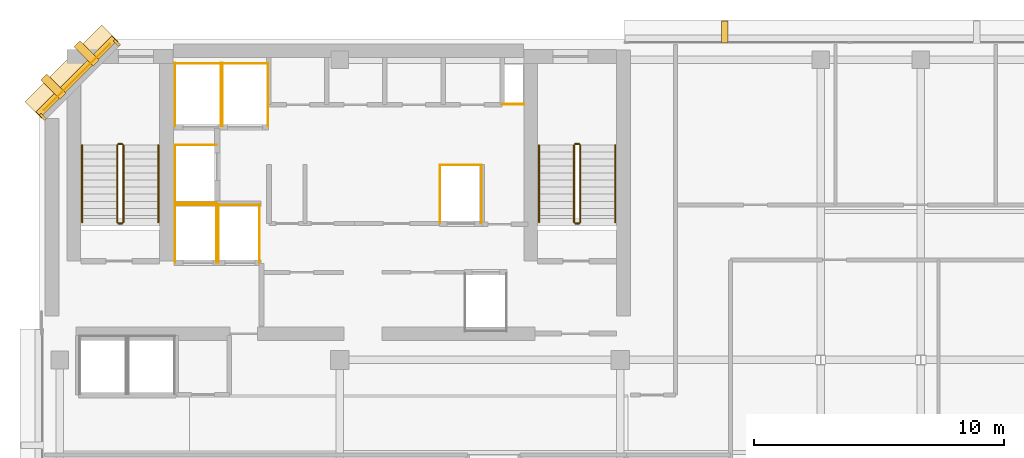
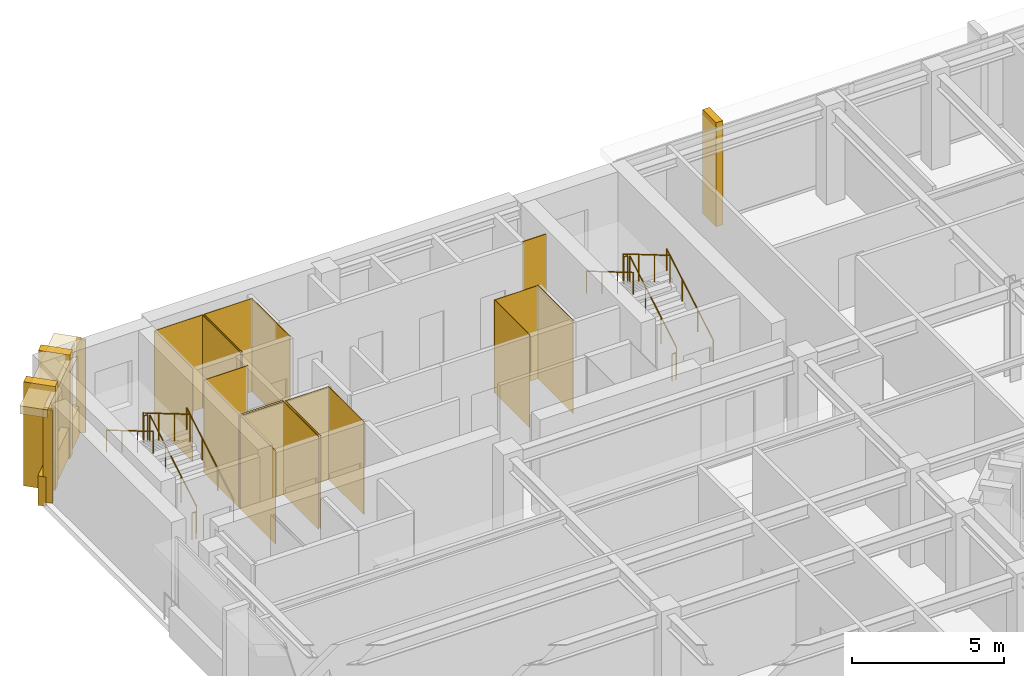
# One storey, part 12 of 13: 27 coverings, 12 railings.
"""IFC4 building model written with IfcOpenShell, lengths in metres."""

from ifc_helpers import new_model, si_unit, direction, frame, origin, origin_2d, place, context, subcontext, project, spatial, polyline, rectangle, circle, outline, extrude, material, layer, layer_set, type_object, element, save


model = new_model("IFC4")

# Units and contexts
model_context = context("Model", 3, precision=1e-05, world=origin(), true_north=direction((0.0, 1.0)))
body_context = subcontext(model_context, "Body", "Model", "MODEL_VIEW")
ifc_project = project(units=[si_unit("LENGTHUNIT", "METRE"), si_unit("AREAUNIT", "SQUARE_METRE"), si_unit("VOLUMEUNIT", "CUBIC_METRE"), si_unit("PLANEANGLEUNIT", "RADIAN"), si_unit("MASSUNIT", "GRAM", prefix="KILO")], contexts=[model_context])

# Site, building, storey
site_placement = place(None, origin())
site = spatial("IfcSite", under=ifc_project, at=site_placement, CompositionType="ELEMENT")
building_placement = place(site_placement, origin())
building = spatial("IfcBuilding", under=site, at=building_placement, Name="Kefirva Bronze Tower", CompositionType="ELEMENT")
storey_placement = place(building_placement, frame((0.0, 0.0, 311.85009765625)))
storey = spatial("IfcBuildingStorey", under=building, at=storey_placement, Name="L76", CompositionType="ELEMENT", Elevation=311.85009765625)

# Coverings
ifc_material_1 = material(Name="Bronze anodised aluminium", Category="aluminium")
ifc_layer_1 = layer(ifc_material_1, 0.02001953125, Name="Bronze anodised aluminium")
ifc_layer_set_1 = layer_set([ifc_layer_1], Name="Bronze anodised aluminium")
covering_type_1 = type_object("IfcCoveringType", Name="Anodised Bronze Spandrel Cladding 20mm", PredefinedType="CLADDING", material=ifc_layer_set_1)
covering_1_placement = place(storey_placement, frame((1.492919921875, 44.507080078125, 3.320068359375), z_axis=(0.0, 0.0, 1.0), x_axis=(-0.707106781187, -0.707106781187, 0.0)))
element("IfcCovering", 1, at=covering_1_placement, inside=storey, type_object=covering_type_1, Name="L76 Bronze Spandrel Cladding 9", PredefinedType="CLADDING", context=body_context, shape_type="SweptSolid", body=[
    extrude(rectangle(XDim=3.719482421875, YDim=0.02001953125, at=origin_2d()), origin(), (0.0, 0.0, 1.0), 0.39990234375),
])
for number, where, z_axis, x_axis, name in (
    (2, (3.08837890625, 45.862060546875, 0.0), (0.0, 0.0, 1.0), (-0.707106781187, -0.707106781187, 0.0), "L76 Facade Joint Closure Panel 9S"),
    (3, (0.137939453125, 42.91162109375, 0.0), (0.0, 0.0, 1.0), (-0.707106781187, -0.707106781187, 0.0), "L76 Facade Joint Closure Panel 9E"),
):
    element("IfcCovering", number, at=place(storey_placement, frame(where, z_axis=z_axis, x_axis=x_axis)), inside=storey, type_object=covering_type_1, Name=name, PredefinedType="CLADDING", context=body_context, shape_type="SweptSolid", body=[
        extrude(rectangle(XDim=0.10009765625, YDim=0.320068359375, at=origin_2d()), origin(), (0.0, 0.0, 1.0), 3.739990234375),
    ])
covering_2_placement = place(storey_placement, frame((1.4716796875, 44.5283203125, -0.16015625), z_axis=(0.0, 0.0, 1.0), x_axis=(-0.707106781187, -0.707106781187, 0.0)))
element("IfcCovering", 4, at=covering_2_placement, inside=storey, type_object=covering_type_1, Name="L76 Streamline Horizontal Spandrel Band 13", PredefinedType="CLADDING", context=body_context, shape_type="SweptSolid", body=[
    extrude(rectangle(XDim=4.28271484375, YDim=0.280029296875, at=origin_2d()), origin(), (0.0, 0.0, 1.0), 1.179931640625),
])
covering_3_placement = place(storey_placement, origin())
element("IfcCovering", 5, at=covering_3_placement, inside=storey, type_object=covering_type_1, Name="L76 Lift FF1 Hoistway Liner N", PredefinedType="CLADDING", context=body_context, shape_type="SweptSolid", body=[
    extrude(outline(polyline([(5.39990234375, 39.389892578125), (7.080078125, 39.389892578125), (7.080078125, 39.409912109375), (5.39990234375, 39.409912109375), (5.39990234375, 39.389892578125)])), origin(), (0.0, 0.0, 1.0), 3.739990234375),
])
covering_4_placement = place(storey_placement, origin())
element("IfcCovering", 6, at=covering_4_placement, inside=storey, type_object=covering_type_1, Name="L76 Lift FF1 Hoistway Liner W", PredefinedType="CLADDING", context=body_context, shape_type="SweptSolid", body=[
    extrude(outline(polyline([(5.409912109375, 37.080078125), (5.429931640625, 37.080078125), (5.429931640625, 39.419921875), (5.409912109375, 39.419921875), (5.409912109375, 37.080078125)])), origin(), (0.0, 0.0, 1.0), 3.739990234375),
])
covering_5_placement = place(storey_placement, origin())
element("IfcCovering", 7, at=covering_5_placement, inside=storey, type_object=covering_type_1, Name="L76 Lift FF1 Hoistway Liner E", PredefinedType="CLADDING", context=body_context, shape_type="SweptSolid", body=[
    extrude(outline(polyline([(7.050048828125, 37.080078125), (7.070068359375, 37.080078125), (7.070068359375, 39.419921875), (7.050048828125, 39.419921875), (7.050048828125, 37.080078125)])), origin(), (0.0, 0.0, 1.0), 3.739990234375),
])
covering_6_placement = place(storey_placement, origin())
element("IfcCovering", 8, at=covering_6_placement, inside=storey, type_object=covering_type_1, Name="L76 Lift FF2 Hoistway Liner N", PredefinedType="CLADDING", context=body_context, shape_type="SweptSolid", body=[
    extrude(outline(polyline([(7.1201171875, 39.389892578125), (8.800048828125, 39.389892578125), (8.800048828125, 39.409912109375), (7.1201171875, 39.409912109375), (7.1201171875, 39.389892578125)])), origin(), (0.0, 0.0, 1.0), 3.739990234375),
])
covering_7_placement = place(storey_placement, origin())
element("IfcCovering", 9, at=covering_7_placement, inside=storey, type_object=covering_type_1, Name="L76 Lift FF2 Hoistway Liner W", PredefinedType="CLADDING", context=body_context, shape_type="SweptSolid", body=[
    extrude(outline(polyline([(7.1298828125, 37.080078125), (7.14990234375, 37.080078125), (7.14990234375, 39.419921875), (7.1298828125, 39.419921875), (7.1298828125, 37.080078125)])), origin(), (0.0, 0.0, 1.0), 3.739990234375),
])
covering_8_placement = place(storey_placement, origin())
element("IfcCovering", 10, at=covering_8_placement, inside=storey, type_object=covering_type_1, Name="L76 Lift FF2 Hoistway Liner E", PredefinedType="CLADDING", context=body_context, shape_type="SweptSolid", body=[
    extrude(outline(polyline([(8.77001953125, 37.080078125), (8.7900390625, 37.080078125), (8.7900390625, 39.419921875), (8.77001953125, 39.419921875), (8.77001953125, 37.080078125)])), origin(), (0.0, 0.0, 1.0), 3.739990234375),
])
covering_9_placement = place(storey_placement, origin())
element("IfcCovering", 11, at=covering_9_placement, inside=storey, type_object=covering_type_1, Name="L76 Lift SV1 Hoistway Liner N", PredefinedType="CLADDING", context=body_context, shape_type="SweptSolid", body=[
    extrude(outline(polyline([(5.39990234375, 45.0400390625), (7.260009765625, 45.0400390625), (7.260009765625, 45.06005859375), (5.39990234375, 45.06005859375), (5.39990234375, 45.0400390625)])), origin(), (0.0, 0.0, 1.0), 3.739990234375),
])
covering_10_placement = place(storey_placement, origin())
element("IfcCovering", 12, at=covering_10_placement, inside=storey, type_object=covering_type_1, Name="L76 Lift SV1 Hoistway Liner W", PredefinedType="CLADDING", context=body_context, shape_type="SweptSolid", body=[
    extrude(outline(polyline([(5.409912109375, 42.530029296875), (5.429931640625, 42.530029296875), (5.429931640625, 45.070068359375), (5.409912109375, 45.070068359375), (5.409912109375, 42.530029296875)])), origin(), (0.0, 0.0, 1.0), 3.739990234375),
])
covering_11_placement = place(storey_placement, origin())
element("IfcCovering", 13, at=covering_11_placement, inside=storey, type_object=covering_type_1, Name="L76 Lift SV1 Hoistway Liner E", PredefinedType="CLADDING", context=body_context, shape_type="SweptSolid", body=[
    extrude(outline(polyline([(7.22998046875, 42.530029296875), (7.25, 42.530029296875), (7.25, 45.070068359375), (7.22998046875, 45.070068359375), (7.22998046875, 42.530029296875)])), origin(), (0.0, 0.0, 1.0), 3.739990234375),
])
covering_12_placement = place(storey_placement, origin())
element("IfcCovering", 14, at=covering_12_placement, inside=storey, type_object=covering_type_1, Name="L76 Lift SV2 Hoistway Liner N", PredefinedType="CLADDING", context=body_context, shape_type="SweptSolid", body=[
    extrude(outline(polyline([(7.280029296875, 45.0400390625), (9.139892578125, 45.0400390625), (9.139892578125, 45.06005859375), (7.280029296875, 45.06005859375), (7.280029296875, 45.0400390625)])), origin(), (0.0, 0.0, 1.0), 3.739990234375),
])
covering_13_placement = place(storey_placement, origin())
element("IfcCovering", 15, at=covering_13_placement, inside=storey, type_object=covering_type_1, Name="L76 Lift SV2 Hoistway Liner W", PredefinedType="CLADDING", context=body_context, shape_type="SweptSolid", body=[
    extrude(outline(polyline([(7.2900390625, 42.530029296875), (7.31005859375, 42.530029296875), (7.31005859375, 45.070068359375), (7.2900390625, 45.070068359375), (7.2900390625, 42.530029296875)])), origin(), (0.0, 0.0, 1.0), 3.739990234375),
])
covering_14_placement = place(storey_placement, origin())
element("IfcCovering", 16, at=covering_14_placement, inside=storey, type_object=covering_type_1, Name="L76 Lift SV2 Hoistway Liner E", PredefinedType="CLADDING", context=body_context, shape_type="SweptSolid", body=[
    extrude(outline(polyline([(9.110107421875, 42.530029296875), (9.1298828125, 42.530029296875), (9.1298828125, 45.070068359375), (9.110107421875, 45.070068359375), (9.110107421875, 42.530029296875)])), origin(), (0.0, 0.0, 1.0), 3.739990234375),
])
covering_15_placement = place(storey_placement, origin())
element("IfcCovering", 17, at=covering_15_placement, inside=storey, type_object=covering_type_1, Name="L76 Lift HP2 Hoistway Liner N", PredefinedType="CLADDING", context=body_context, shape_type="SweptSolid", body=[
    extrude(outline(polyline([(15.97998046875, 40.969970703125), (17.669921875, 40.969970703125), (17.669921875, 40.989990234375), (15.97998046875, 40.989990234375), (15.97998046875, 40.969970703125)])), origin(), (0.0, 0.0, 1.0), 3.739990234375),
])
covering_16_placement = place(storey_placement, origin())
element("IfcCovering", 18, at=covering_16_placement, inside=storey, type_object=covering_type_1, Name="L76 Lift HP2 Hoistway Liner W", PredefinedType="CLADDING", context=body_context, shape_type="SweptSolid", body=[
    extrude(outline(polyline([(15.989990234375, 38.659912109375), (16.010009765625, 38.659912109375), (16.010009765625, 41.0), (15.989990234375, 41.0), (15.989990234375, 38.659912109375)])), origin(), (0.0, 0.0, 1.0), 3.739990234375),
])
covering_17_placement = place(storey_placement, origin())
element("IfcCovering", 19, at=covering_17_placement, inside=storey, type_object=covering_type_1, Name="L76 Lift HP2 Hoistway Liner E", PredefinedType="CLADDING", context=body_context, shape_type="SweptSolid", body=[
    extrude(outline(polyline([(17.639892578125, 38.659912109375), (17.659912109375, 38.659912109375), (17.659912109375, 41.0), (17.639892578125, 41.0), (17.639892578125, 38.659912109375)])), origin(), (0.0, 0.0, 1.0), 3.739990234375),
])
covering_18_placement = place(storey_placement, origin())
element("IfcCovering", 20, at=covering_18_placement, inside=storey, type_object=covering_type_1, Name="L76 Lift HP3 Hoistway Liner N", PredefinedType="CLADDING", context=body_context, shape_type="SweptSolid", body=[
    extrude(outline(polyline([(5.39990234375, 41.77001953125), (7.080078125, 41.77001953125), (7.080078125, 41.7900390625), (5.39990234375, 41.7900390625), (5.39990234375, 41.77001953125)])), origin(), (0.0, 0.0, 1.0), 3.739990234375),
])
covering_19_placement = place(storey_placement, origin())
element("IfcCovering", 21, at=covering_19_placement, inside=storey, type_object=covering_type_1, Name="L76 Lift HP3 Hoistway Liner S", PredefinedType="CLADDING", context=body_context, shape_type="SweptSolid", body=[
    extrude(outline(polyline([(5.39990234375, 39.469970703125), (7.080078125, 39.469970703125), (7.080078125, 39.489990234375), (5.39990234375, 39.489990234375), (5.39990234375, 39.469970703125)])), origin(), (0.0, 0.0, 1.0), 3.739990234375),
])
covering_20_placement = place(storey_placement, origin())
element("IfcCovering", 22, at=covering_20_placement, inside=storey, type_object=covering_type_1, Name="L76 Lift HP3 Hoistway Liner W", PredefinedType="CLADDING", context=body_context, shape_type="SweptSolid", body=[
    extrude(outline(polyline([(5.409912109375, 39.4599609375), (5.429931640625, 39.4599609375), (5.429931640625, 41.800048828125), (5.409912109375, 41.800048828125), (5.409912109375, 39.4599609375)])), origin(), (0.0, 0.0, 1.0), 3.739990234375),
])
covering_21_placement = place(storey_placement, origin())
element("IfcCovering", 23, at=covering_21_placement, inside=storey, type_object=covering_type_1, Name="L76 Core MEP Riser Shaft Liner South", PredefinedType="CLADDING", context=body_context, shape_type="SweptSolid", body=[
    extrude(outline(polyline([(18.47998046875, 43.39990234375), (19.360107421875, 43.39990234375), (19.360107421875, 43.429931640625), (18.47998046875, 43.429931640625), (18.47998046875, 43.39990234375)])), origin(), (0.0, 0.0, 1.0), 3.739990234375),
])

# Railings
ifc_material_2 = material(Name="Stainless steel 316", Category="steel")
railing_type_1 = type_object("IfcRailingType", Name="Interior Stair Guardrail 1100mm", PredefinedType="GUARDRAIL", material=ifc_material_2)
railing_1_placement = place(storey_placement, frame((3.35009765625, 38.699951171875, 0.164794921875)))
element("IfcRailing", 24, at=railing_1_placement, inside=storey, type_object=railing_type_1, Name="L76 ST-1 stair guard 1", PredefinedType="GUARDRAIL", context=body_context, shape_type="SweptSolid", body=[
    extrude(circle(Radius=0.02392578125, at=origin_2d()), frame((0.0, 0.0, 1.076171875), z_axis=(0.0, 0.861521393093, 0.507721271215), x_axis=(-1.0, 0.0, 0.0)), (0.0, 0.0, 1.0), 3.5751953125),
    extrude(circle(Radius=0.02099609375, at=origin_2d()), origin(), (0.0, 0.0, 1.0), 1.052001953125),
    extrude(circle(Radius=0.02099609375, at=origin_2d()), frame((0.0, 1.026611328125, 0.60498046875)), (0.0, 0.0, 1.0), 1.052001953125),
    extrude(circle(Radius=0.02099609375, at=origin_2d()), frame((0.0, 2.053466796875, 1.210205078125)), (0.0, 0.0, 1.0), 1.052001953125),
    extrude(circle(Radius=0.02099609375, at=origin_2d()), frame((0.0, 3.080078125, 1.815185546875)), (0.0, 0.0, 1.0), 1.052001953125),
])
railing_2_placement = place(storey_placement, frame((3.300048828125, 41.830078125, 1.97998046875)))
element("IfcRailing", 25, at=railing_2_placement, inside=storey, type_object=railing_type_1, Name="L76 ST-1 stair guard 2", PredefinedType="GUARDRAIL", context=body_context, shape_type="SweptSolid", body=[
    extrude(circle(Radius=0.02392578125, at=origin_2d()), frame((0.0, 0.0, 1.076171875), z_axis=(-1.0, 0.0, 0.0), x_axis=(0.0, -1.0, 0.0)), (0.0, 0.0, 1.0), 0.150146484375),
    extrude(circle(Radius=0.02099609375, at=origin_2d()), origin(), (0.0, 0.0, 1.0), 1.052001953125),
    extrude(circle(Radius=0.02099609375, at=origin_2d()), frame((-0.150146484375, 0.0, 0.0)), (0.0, 0.0, 1.0), 1.052001953125),
])
railing_3_placement = place(storey_placement, frame((3.10009765625, 41.780029296875, 2.14501953125)))
element("IfcRailing", 26, at=railing_3_placement, inside=storey, type_object=railing_type_1, Name="L76 ST-1 stair guard 3", PredefinedType="GUARDRAIL", context=body_context, shape_type="SweptSolid", body=[
    extrude(circle(Radius=0.02392578125, at=origin_2d()), frame((0.0, 0.0, 1.076171875), z_axis=(0.0, -0.861551262678, 0.507670583921), x_axis=(1.0, 0.0, 0.0)), (0.0, 0.0, 1.0), 3.574951171875),
    extrude(circle(Radius=0.02099609375, at=origin_2d()), origin(), (0.0, 0.0, 1.0), 1.052001953125),
    extrude(circle(Radius=0.02099609375, at=origin_2d()), frame((0.0, -1.026611328125, 0.60498046875)), (0.0, 0.0, 1.0), 1.052001953125),
    extrude(circle(Radius=0.02099609375, at=origin_2d()), frame((0.0, -2.053466796875, 1.2099609375)), (0.0, 0.0, 1.0), 1.052001953125),
    extrude(circle(Radius=0.02099609375, at=origin_2d()), frame((0.0, -3.080078125, 1.81494140625)), (0.0, 0.0, 1.0), 1.052001953125),
])
railing_4_placement = place(storey_placement, frame((3.300048828125, 38.64990234375, 0.0)))
element("IfcRailing", 27, at=railing_4_placement, inside=storey, type_object=railing_type_1, Name="L76 ST-1 stair guard 4", PredefinedType="GUARDRAIL", context=body_context, shape_type="SweptSolid", body=[
    extrude(circle(Radius=0.02392578125, at=origin_2d()), frame((0.0, 0.0, 1.076171875), z_axis=(-1.0, 0.0, 0.0), x_axis=(0.0, -1.0, 0.0)), (0.0, 0.0, 1.0), 0.150146484375),
    extrude(circle(Radius=0.02099609375, at=origin_2d()), origin(), (0.0, 0.0, 1.0), 1.052001953125),
    extrude(circle(Radius=0.02099609375, at=origin_2d()), frame((-0.150146484375, 0.0, 0.0)), (0.0, 0.0, 1.0), 1.052001953125),
])
railing_5_placement = place(storey_placement, frame((21.60009765625, 38.699951171875, 0.164794921875)))
element("IfcRailing", 28, at=railing_5_placement, inside=storey, type_object=railing_type_1, Name="L76 ST-2 stair guard 1", PredefinedType="GUARDRAIL", context=body_context, shape_type="SweptSolid", body=[
    extrude(circle(Radius=0.02392578125, at=origin_2d()), frame((0.0, 0.0, 1.076171875), z_axis=(0.0, 0.861521393093, 0.507721271215), x_axis=(-1.0, 0.0, 0.0)), (0.0, 0.0, 1.0), 3.5751953125),
    extrude(circle(Radius=0.02099609375, at=origin_2d()), origin(), (0.0, 0.0, 1.0), 1.052001953125),
    extrude(circle(Radius=0.02099609375, at=origin_2d()), frame((0.0, 1.026611328125, 0.60498046875)), (0.0, 0.0, 1.0), 1.052001953125),
    extrude(circle(Radius=0.02099609375, at=origin_2d()), frame((0.0, 2.053466796875, 1.210205078125)), (0.0, 0.0, 1.0), 1.052001953125),
    extrude(circle(Radius=0.02099609375, at=origin_2d()), frame((0.0, 3.080078125, 1.815185546875)), (0.0, 0.0, 1.0), 1.052001953125),
])
railing_6_placement = place(storey_placement, frame((21.550048828125, 41.830078125, 1.97998046875)))
element("IfcRailing", 29, at=railing_6_placement, inside=storey, type_object=railing_type_1, Name="L76 ST-2 stair guard 2", PredefinedType="GUARDRAIL", context=body_context, shape_type="SweptSolid", body=[
    extrude(circle(Radius=0.02392578125, at=origin_2d()), frame((0.0, 0.0, 1.076171875), z_axis=(-1.0, 0.0, 0.0), x_axis=(0.0, -1.0, 0.0)), (0.0, 0.0, 1.0), 0.150146484375),
    extrude(circle(Radius=0.02099609375, at=origin_2d()), origin(), (0.0, 0.0, 1.0), 1.052001953125),
    extrude(circle(Radius=0.02099609375, at=origin_2d()), frame((-0.150146484375, 0.0, 0.0)), (0.0, 0.0, 1.0), 1.052001953125),
])
railing_7_placement = place(storey_placement, frame((21.35009765625, 41.780029296875, 2.14501953125)))
element("IfcRailing", 30, at=railing_7_placement, inside=storey, type_object=railing_type_1, Name="L76 ST-2 stair guard 3", PredefinedType="GUARDRAIL", context=body_context, shape_type="SweptSolid", body=[
    extrude(circle(Radius=0.02392578125, at=origin_2d()), frame((0.0, 0.0, 1.076171875), z_axis=(0.0, -0.861551262678, 0.507670583921), x_axis=(1.0, 0.0, 0.0)), (0.0, 0.0, 1.0), 3.574951171875),
    extrude(circle(Radius=0.02099609375, at=origin_2d()), origin(), (0.0, 0.0, 1.0), 1.052001953125),
    extrude(circle(Radius=0.02099609375, at=origin_2d()), frame((0.0, -1.026611328125, 0.60498046875)), (0.0, 0.0, 1.0), 1.052001953125),
    extrude(circle(Radius=0.02099609375, at=origin_2d()), frame((0.0, -2.053466796875, 1.2099609375)), (0.0, 0.0, 1.0), 1.052001953125),
    extrude(circle(Radius=0.02099609375, at=origin_2d()), frame((0.0, -3.080078125, 1.81494140625)), (0.0, 0.0, 1.0), 1.052001953125),
])
railing_8_placement = place(storey_placement, frame((21.550048828125, 38.64990234375, 0.0)))
element("IfcRailing", 31, at=railing_8_placement, inside=storey, type_object=railing_type_1, Name="L76 ST-2 stair guard 4", PredefinedType="GUARDRAIL", context=body_context, shape_type="SweptSolid", body=[
    extrude(circle(Radius=0.02392578125, at=origin_2d()), frame((0.0, 0.0, 1.076171875), z_axis=(-1.0, 0.0, 0.0), x_axis=(0.0, -1.0, 0.0)), (0.0, 0.0, 1.0), 0.150146484375),
    extrude(circle(Radius=0.02099609375, at=origin_2d()), origin(), (0.0, 0.0, 1.0), 1.052001953125),
    extrude(circle(Radius=0.02099609375, at=origin_2d()), frame((-0.150146484375, 0.0, 0.0)), (0.0, 0.0, 1.0), 1.052001953125),
])
railing_type_2 = type_object("IfcRailingType", Name="Stair Pitch Handrail 900mm", PredefinedType="HANDRAIL", material=ifc_material_2)
railing_9_placement = place(storey_placement, frame((4.75, 38.699951171875, 0.164794921875)))
element("IfcRailing", 32, at=railing_9_placement, inside=storey, type_object=railing_type_2, Name="L76 ST-1 stair handrail 1", PredefinedType="HANDRAIL", context=body_context, shape_type="SweptSolid", body=[
    extrude(circle(Radius=0.02392578125, at=origin_2d()), frame((0.0, 0.0, 0.8759765625), z_axis=(0.0, 0.861521393093, 0.507721271215), x_axis=(-1.0, 0.0, 0.0)), (0.0, 0.0, 1.0), 3.5751953125),
    extrude(circle(Radius=0.02099609375, at=origin_2d()), origin(), (0.0, 0.0, 1.0), 0.851806640625),
    extrude(circle(Radius=0.02099609375, at=origin_2d()), frame((0.0, 1.026611328125, 0.60498046875)), (0.0, 0.0, 1.0), 0.851806640625),
    extrude(circle(Radius=0.02099609375, at=origin_2d()), frame((0.0, 2.053466796875, 1.210205078125)), (0.0, 0.0, 1.0), 0.851806640625),
    extrude(circle(Radius=0.02099609375, at=origin_2d()), frame((0.0, 3.080078125, 1.815185546875)), (0.0, 0.0, 1.0), 0.851806640625),
])
railing_10_placement = place(storey_placement, frame((1.699951171875, 41.780029296875, 2.14501953125)))
element("IfcRailing", 33, at=railing_10_placement, inside=storey, type_object=railing_type_2, Name="L76 ST-1 stair handrail 2", PredefinedType="HANDRAIL", context=body_context, shape_type="SweptSolid", body=[
    extrude(circle(Radius=0.02392578125, at=origin_2d()), frame((0.0, 0.0, 0.8759765625), z_axis=(0.0, -0.861551262678, 0.507670583921), x_axis=(1.0, 0.0, 0.0)), (0.0, 0.0, 1.0), 3.574951171875),
    extrude(circle(Radius=0.02099609375, at=origin_2d()), origin(), (0.0, 0.0, 1.0), 0.851806640625),
    extrude(circle(Radius=0.02099609375, at=origin_2d()), frame((0.0, -1.026611328125, 0.60498046875)), (0.0, 0.0, 1.0), 0.851806640625),
    extrude(circle(Radius=0.02099609375, at=origin_2d()), frame((0.0, -2.053466796875, 1.2099609375)), (0.0, 0.0, 1.0), 0.851806640625),
    extrude(circle(Radius=0.02099609375, at=origin_2d()), frame((0.0, -3.080078125, 1.81494140625)), (0.0, 0.0, 1.0), 0.851806640625),
])
railing_11_placement = place(storey_placement, frame((23.0, 38.699951171875, 0.164794921875)))
element("IfcRailing", 34, at=railing_11_placement, inside=storey, type_object=railing_type_2, Name="L76 ST-2 stair handrail 1", PredefinedType="HANDRAIL", context=body_context, shape_type="SweptSolid", body=[
    extrude(circle(Radius=0.02392578125, at=origin_2d()), frame((0.0, 0.0, 0.8759765625), z_axis=(0.0, 0.861521393093, 0.507721271215), x_axis=(-1.0, 0.0, 0.0)), (0.0, 0.0, 1.0), 3.5751953125),
    extrude(circle(Radius=0.02099609375, at=origin_2d()), origin(), (0.0, 0.0, 1.0), 0.851806640625),
    extrude(circle(Radius=0.02099609375, at=origin_2d()), frame((0.0, 1.026611328125, 0.60498046875)), (0.0, 0.0, 1.0), 0.851806640625),
    extrude(circle(Radius=0.02099609375, at=origin_2d()), frame((0.0, 2.053466796875, 1.210205078125)), (0.0, 0.0, 1.0), 0.851806640625),
    extrude(circle(Radius=0.02099609375, at=origin_2d()), frame((0.0, 3.080078125, 1.815185546875)), (0.0, 0.0, 1.0), 0.851806640625),
])
railing_12_placement = place(storey_placement, frame((19.949951171875, 41.780029296875, 2.14501953125)))
element("IfcRailing", 35, at=railing_12_placement, inside=storey, type_object=railing_type_2, Name="L76 ST-2 stair handrail 2", PredefinedType="HANDRAIL", context=body_context, shape_type="SweptSolid", body=[
    extrude(circle(Radius=0.02392578125, at=origin_2d()), frame((0.0, 0.0, 0.8759765625), z_axis=(0.0, -0.861551262678, 0.507670583921), x_axis=(1.0, 0.0, 0.0)), (0.0, 0.0, 1.0), 3.574951171875),
    extrude(circle(Radius=0.02099609375, at=origin_2d()), origin(), (0.0, 0.0, 1.0), 0.851806640625),
    extrude(circle(Radius=0.02099609375, at=origin_2d()), frame((0.0, -1.026611328125, 0.60498046875)), (0.0, 0.0, 1.0), 0.851806640625),
    extrude(circle(Radius=0.02099609375, at=origin_2d()), frame((0.0, -2.053466796875, 1.2099609375)), (0.0, 0.0, 1.0), 0.851806640625),
    extrude(circle(Radius=0.02099609375, at=origin_2d()), frame((0.0, -3.080078125, 1.81494140625)), (0.0, 0.0, 1.0), 0.851806640625),
])

# Coverings
ifc_layer_2 = layer(ifc_material_1, 0.179931640625, Name="Bronze anodised aluminium")
ifc_layer_set_2 = layer_set([ifc_layer_2], Name="Bronze anodised aluminium")
covering_type_2 = type_object("IfcCoveringType", Name="Streamline Bronze Sunshade Eyebrow Cladding 180mm", PredefinedType="CLADDING", material=ifc_layer_set_2)
covering_22_placement = place(storey_placement, frame((1.28076171875, 44.71923828125, 3.419921875), z_axis=(0.0, 0.0, 1.0), x_axis=(-0.707106781187, -0.707106781187, 0.0)))
element("IfcCovering", 36, at=covering_22_placement, inside=storey, type_object=covering_type_2, Name="L76 Streamline Bronze Sunshade Eyebrow 13", PredefinedType="CLADDING", context=body_context, shape_type="SweptSolid", body=[
    extrude(rectangle(XDim=4.322509765625, YDim=0.93994140625, at=origin_2d()), origin(), (0.0, 0.0, 1.0), 0.320068359375),
])
ifc_layer_3 = layer(ifc_material_1, 0.260009765625, Name="Bronze anodised aluminium")
ifc_layer_set_3 = layer_set([ifc_layer_3], Name="Bronze anodised aluminium")
covering_type_3 = type_object("IfcCoveringType", Name="Unbroken Bronze Buttress Fin Cladding 260mm", PredefinedType="CLADDING", material=ifc_layer_set_3)
covering_23_placement = place(storey_placement, frame((27.364013671875, 46.300048828125, -0.22021484375), z_axis=(0.0, 0.0, 1.0), x_axis=(-1.0, 0.0, 0.0)))
element("IfcCovering", 37, at=covering_23_placement, inside=storey, type_object=covering_type_3, Name="L76 Unbroken Vertical Bronze Rib Fin 18", PredefinedType="CLADDING", context=body_context, shape_type="SweptSolid", body=[
    extrude(rectangle(XDim=0.260009765625, YDim=0.8798828125, at=origin_2d()), origin(), (0.0, 0.0, 1.0), 4.179931640625),
])
for number, where, z_axis, x_axis, name in (
    (38, (1.877197265625, 45.44287109375, -0.22021484375), (0.0, 0.0, 1.0), (-0.707106781187, -0.707106781187, 0.0), "L76 Chamfered Corner Buttress Fin Cladding 19"),
    (39, (0.55712890625, 44.122802734375, -0.22021484375), (0.0, 0.0, 1.0), (-0.707106781187, -0.707106781187, 0.0), "L76 Chamfered Corner Buttress Fin Cladding 20"),
):
    element("IfcCovering", number, at=place(storey_placement, frame(where, z_axis=z_axis, x_axis=x_axis)), inside=storey, type_object=covering_type_3, Name=name, PredefinedType="CLADDING", context=body_context, shape_type="SweptSolid", body=[
        extrude(rectangle(XDim=0.340087890625, YDim=1.080078125, at=origin_2d()), origin(), (0.0, 0.0, 1.0), 4.179931640625),
    ])

save(model, "model.ifc")
